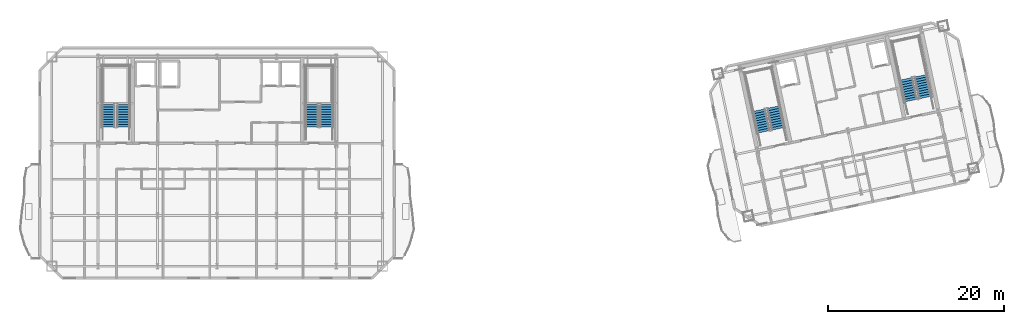
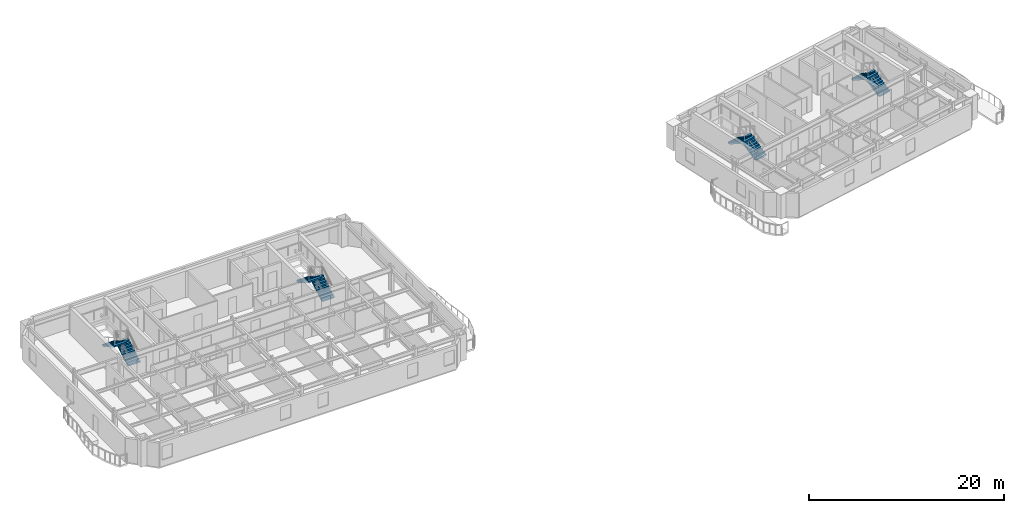
# One storey, part 10 of 14: 8 stair flights, 4 elements without a shape of their own.
"""IFC4 building model written with IfcOpenShell, lengths in metres."""

import ifcopenshell
import ifcopenshell.guid

model = None  # the IFC model being written
_history = None  # IfcOwnerHistory: only IFC2X3 demands one
_inside = {}  # id of a spatial element -> (the spatial element, [elements in it])
_under = {}  # id of a project, library or spatial element -> (it, [spatial elements below it])
_declared = {}  # id of a project -> (the project, [libraries it declares])
_typed = {}  # id of a type object -> (the type object, [elements of that type])
_made_of = {}  # id of a material, layer set ... -> (it, [elements and type objects made of it])


def new_model(schema):
    """Start an empty IFC model of exactly this schema.

    Asked for "IFC4X3", IfcOpenShell would pick the latest addendum, in which some entities
    have other attributes; the version numbers below select the first issue.
    IFC2X3 requires an IfcOwnerHistory on every rooted entity: one is made here for all.
    """
    global model, _history
    if schema == "IFC4X3":
        model = ifcopenshell.file(schema_version=(4, 3, 0, 0))
    else:
        model = ifcopenshell.file(schema=schema)
    _inside.clear()
    _under.clear()
    _declared.clear()
    _typed.clear()
    _made_of.clear()
    _history = None
    if model.schema == "IFC2X3":
        org = make("IfcOrganization", Name="unknown")
        user = make(
            "IfcPersonAndOrganization",
            ThePerson=make("IfcPerson", FamilyName="unknown"),
            TheOrganization=org,
        )
        app = make(
            "IfcApplication",
            ApplicationDeveloper=org,
            Version="unknown",
            ApplicationFullName="unknown",
            ApplicationIdentifier="unknown",
        )
        _history = make(
            "IfcOwnerHistory",
            OwningUser=user,
            OwningApplication=app,
            ChangeAction="ADDED",
            CreationDate=0,
        )
    return model


def make(cls, **values):
    """One entity of the class cls with the attributes given. An attribute that is None is left unset."""
    return model.create_entity(
        cls, **{name: value for name, value in values.items() if value is not None}
    )


def rooted(cls, **values):
    """An entity with a GlobalId (a new one), such as an element, a storey or a relation."""
    return make(cls, GlobalId=ifcopenshell.guid.new(), OwnerHistory=_history, **values)


def si_unit(unit_type, name, prefix=None):
    """IfcSIUnit, for example si_unit("LENGTHUNIT", "METRE", prefix="MILLI")."""
    return make("IfcSIUnit", UnitType=unit_type, Prefix=prefix, Name=name)


def assignment(units):
    """IfcUnitAssignment: the units of a project."""
    return None if units is None else make("IfcUnitAssignment", Units=units)


def point(xyz):
    """IfcCartesianPoint."""
    return None if xyz is None else make("IfcCartesianPoint", Coordinates=xyz)


def direction(xyz):
    """IfcDirection."""
    return None if xyz is None else make("IfcDirection", DirectionRatios=xyz)


def frame(location, z_axis=None, x_axis=None):
    """IfcAxis2Placement3D, a coordinate frame: its origin and axes. An axis left out is left unset."""
    return make(
        "IfcAxis2Placement3D",
        Location=point(location),
        Axis=direction(z_axis),
        RefDirection=direction(x_axis),
    )


def origin():
    """The frame at (0, 0, 0) with its axes left unset."""
    return frame((0.0, 0.0, 0.0))


def place(relative_to, where):
    """IfcLocalPlacement: puts the frame where relative to a parent placement (None: the world)."""
    return make(
        "IfcLocalPlacement", PlacementRelTo=relative_to, RelativePlacement=where
    )


def context(
    kind, dimensions, precision=None, world=None, true_north=None, identifier=None
):
    """IfcGeometricRepresentationContext, for example the 3D "Model" context."""
    return make(
        "IfcGeometricRepresentationContext",
        ContextIdentifier=identifier,
        ContextType=kind,
        CoordinateSpaceDimension=dimensions,
        Precision=precision,
        WorldCoordinateSystem=world,
        TrueNorth=true_north,
    )


def subcontext(parent, identifier, kind, view, scale=None):
    """IfcGeometricRepresentationSubContext, for example "Body" below "Model"."""
    return make(
        "IfcGeometricRepresentationSubContext",
        ContextIdentifier=identifier,
        ContextType=kind,
        ParentContext=parent,
        TargetScale=scale,
        TargetView=view,
    )


def project(units=None, contexts=None):
    """IfcProject with its units and contexts."""
    return rooted(
        "IfcProject",
        Name="project",
        RepresentationContexts=contexts,
        UnitsInContext=assignment(units),
    )


def spatial(cls, under=None, at=None, **own):
    """A site, building, storey or space (cls), placed at a placement, below another one or the project."""
    s = rooted(cls, ObjectPlacement=at, **own)
    if under is not None:
        _under.setdefault(under.id(), (under, []))[1].append(s)
    return s


def polyline(points):
    """IfcPolyline through the points."""
    return make("IfcPolyline", Points=[point(p) for p in points])


def outline(outer, holes=None, kind="AREA"):
    """IfcArbitraryClosedProfileDef: a profile drawn as a closed curve; with holes, ...WithVoids."""
    if holes is None:
        return make("IfcArbitraryClosedProfileDef", ProfileType=kind, OuterCurve=outer)
    return make(
        "IfcArbitraryProfileDefWithVoids",
        ProfileType=kind,
        OuterCurve=outer,
        InnerCurves=holes,
    )


def extrude(swept, where, along, depth):
    """IfcExtrudedAreaSolid: the profile swept, set in the frame where, extruded along a direction by depth."""
    return make(
        "IfcExtrudedAreaSolid",
        SweptArea=swept,
        Position=where,
        ExtrudedDirection=direction(along),
        Depth=depth,
    )


def shape(context_of_items, identifier, shape_type, items):
    """IfcShapeRepresentation: the items that make up one representation, for example the "Body"."""
    return make(
        "IfcShapeRepresentation",
        ContextOfItems=context_of_items,
        RepresentationIdentifier=identifier,
        RepresentationType=shape_type,
        Items=items,
    )


def material(Name=None, Category=None):
    """IfcMaterial."""
    return make("IfcMaterial", Name=Name, Category=Category)


def made_of(thing, what):
    """Note that an element or type object is made of a material, layer set ...; save() writes the relation."""
    if what is not None:
        _made_of.setdefault(what.id(), (what, []))[1].append(thing)
    return thing


def type_object(cls, material=None, **own):
    """A type object (cls), such as IfcWallType, which elements share."""
    return made_of(rooted(cls, **own), material)


def element(
    cls,
    number,
    at=None,
    inside=None,
    cuts=None,
    type_object=None,
    material=None,
    context=None,
    identifier="Body",
    shape_type=None,
    held_by="IfcProductDefinitionShape",
    body=None,
    shapes=None,
    **own,
):
    """One element of the class cls, such as IfcWall. Its Tag is "e" and its number.

    at: its placement. inside: the storey or other place that contains it. cuts: it is an
    opening in that element (IfcRelVoidsElement). A single representation is given by context,
    identifier, shape_type and body (its items); several are given by shapes. held_by: the class
    of the entity that holds the representations. save() writes the other relations.
    """
    e = rooted(cls, Tag="e%d" % number, ObjectPlacement=at, **own)
    if body is not None:
        shapes = [shape(context, identifier, shape_type, body)]
    if shapes is not None:
        e.Representation = make(held_by, Representations=shapes)
    if inside is not None:
        _inside.setdefault(inside.id(), (inside, []))[1].append(e)
    if cuts is not None:
        rooted(
            "IfcRelVoidsElement", RelatingBuildingElement=cuts, RelatedOpeningElement=e
        )
    if type_object is not None:
        _typed.setdefault(type_object.id(), (type_object, []))[1].append(e)
    return made_of(e, material)


def aggregate(whole, parts):
    """IfcRelAggregates: a whole, such as a stair, and the parts it consists of."""
    return rooted("IfcRelAggregates", RelatingObject=whole, RelatedObjects=parts)


def save(model, path):
    """Write the relations noted so far, then the file.

    IfcRelAggregates (storeys below a building ...), IfcRelContainedInSpatialStructure (elements
    in a storey), IfcRelDefinesByType, IfcRelAssociatesMaterial and IfcRelDeclares: one each for
    every whole, place, type object, material and project.
    """
    for whole, parts in _under.values():
        aggregate(whole, parts)
    for where, things in _inside.values():
        rooted(
            "IfcRelContainedInSpatialStructure",
            RelatedElements=things,
            RelatingStructure=where,
        )
    for kind, things in _typed.values():
        rooted("IfcRelDefinesByType", RelatedObjects=things, RelatingType=kind)
    for what, things in _made_of.values():
        rooted("IfcRelAssociatesMaterial", RelatedObjects=things, RelatingMaterial=what)
    for by, libraries in _declared.values():
        rooted("IfcRelDeclares", RelatingContext=by, RelatedDefinitions=libraries)
    model.write(path)


model = new_model("IFC4")

# Units and contexts
model_context = context("Model", 3, precision=1e-05, world=origin(), true_north=direction((0.0, 1.0)))
body_context = subcontext(model_context, "Body", "Model", "MODEL_VIEW")
ifc_project = project(units=[si_unit("LENGTHUNIT", "METRE"), si_unit("AREAUNIT", "SQUARE_METRE"), si_unit("VOLUMEUNIT", "CUBIC_METRE"), si_unit("PLANEANGLEUNIT", "RADIAN"), si_unit("MASSUNIT", "GRAM", prefix="KILO")], contexts=[model_context])

# Site, building, storey
site_placement = place(None, origin())
site = spatial("IfcSite", under=ifc_project, at=site_placement, CompositionType="ELEMENT")
building_placement = place(site_placement, origin())
building = spatial("IfcBuilding", under=site, at=building_placement, Name="Haevon Station Towers", CompositionType="ELEMENT")
storey_placement = place(building_placement, frame((0.0, 0.0, 231.89990234375)))
storey = spatial("IfcBuildingStorey", under=building, at=storey_placement, Name="L64", CompositionType="ELEMENT", Elevation=231.89990234375)

# Stair, stair flights
ifc_material = material(Name="Concrete C40/50", Category="concrete")
stair_type = type_object("IfcStairType", Name="STR-DL1450", PredefinedType="USERDEFINED", material=ifc_material)
stair_1_placement = place(storey_placement, origin())
stair_1 = element("IfcStair", 1, at=stair_1_placement, inside=storey, type_object=stair_type, Name="L64 Escape Stair ST1", ObjectType="TWO_RETURN_STAIR", PredefinedType="USERDEFINED")
stair_flight_type = type_object("IfcStairFlightType", Name="STF-ST1450", PredefinedType="STRAIGHT", material=ifc_material)
stair_flight_1_placement = place(storey_placement, frame((26.85498046875, 40.050048828125, 0.0), z_axis=(0.0, 0.0, 1.0), x_axis=(0.0, 1.0, 0.0)))
stair_flight_1 = element("IfcStairFlight", 2, at=stair_flight_1_placement, type_object=stair_flight_type, Name="L64 ST1 Flight 1", NumberOfRisers=10, NumberOfTreads=9, PredefinedType="STRAIGHT", RiserHeight=0.165, TreadLength=0.28, context=body_context, shape_type="SweptSolid", body=[
    extrude(outline(polyline([(0.0, 0.0), (0.0, 0.1650390625), (0.280029296875, 0.1650390625), (0.280029296875, 0.330078125), (0.56005859375, 0.330078125), (0.56005859375, 0.4951171875), (0.840087890625, 0.4951171875), (0.840087890625, 0.659912109375), (1.1201171875, 0.659912109375), (1.1201171875, 0.824951171875), (1.39990234375, 0.824951171875), (1.39990234375, 0.989990234375), (1.679931640625, 0.989990234375), (1.679931640625, 1.155029296875), (1.9599609375, 1.155029296875), (1.9599609375, 1.320068359375), (2.239990234375, 1.320068359375), (2.239990234375, 1.485107421875), (2.52001953125, 1.485107421875), (2.52001953125, 1.64990234375), (2.52001953125, 1.29931640625), (0.31494140625, 0.0), (0.0, 0.0)])), frame((0.0, 0.72509765625, 0.0), z_axis=(0.0, -1.0, 0.0), x_axis=(1.0, 0.0, 0.0)), (0.0, 0.0, 1.0), 1.449951171875),
])
stair_flight_2_placement = place(storey_placement, frame((25.205078125, 42.570068359375, 1.650146484375), z_axis=(0.0, 0.0, 1.0), x_axis=(0.0, -1.0, 0.0)))
stair_flight_2 = element("IfcStairFlight", 3, at=stair_flight_2_placement, type_object=stair_flight_type, Name="L64 ST1 Flight 2", NumberOfRisers=10, NumberOfTreads=9, PredefinedType="STRAIGHT", RiserHeight=0.165, TreadLength=0.28, context=body_context, shape_type="SweptSolid", body=[
    extrude(outline(polyline([(0.0, 0.0), (0.0, 0.1650390625), (0.280029296875, 0.1650390625), (0.280029296875, 0.330078125), (0.56005859375, 0.330078125), (0.56005859375, 0.4951171875), (0.840087890625, 0.4951171875), (0.840087890625, 0.659912109375), (1.1201171875, 0.659912109375), (1.1201171875, 0.824951171875), (1.39990234375, 0.824951171875), (1.39990234375, 0.989990234375), (1.679931640625, 0.989990234375), (1.679931640625, 1.155029296875), (1.9599609375, 1.155029296875), (1.9599609375, 1.320068359375), (2.239990234375, 1.320068359375), (2.239990234375, 1.485107421875), (2.52001953125, 1.485107421875), (2.52001953125, 1.64990234375), (2.52001953125, 1.29931640625), (0.31494140625, 0.0), (0.0, 0.0)])), frame((0.0, 0.72509765625, 0.0), z_axis=(0.0, -1.0, 0.0), x_axis=(1.0, 0.0, 0.0)), (0.0, 0.0, 1.0), 1.449951171875),
])
aggregate(stair_1, [stair_flight_1, stair_flight_2])

stair_2_placement = place(storey_placement, origin())
stair_2 = element("IfcStair", 4, at=stair_2_placement, inside=storey, type_object=stair_type, Name="L64 Escape Stair ST2", ObjectType="TWO_RETURN_STAIR", PredefinedType="USERDEFINED")
stair_flight_3_placement = place(storey_placement, frame((49.89501953125, 40.050048828125, 0.0), z_axis=(0.0, 0.0, 1.0), x_axis=(0.0, 1.0, 0.0)))
stair_flight_3 = element("IfcStairFlight", 5, at=stair_flight_3_placement, type_object=stair_flight_type, Name="L64 ST2 Flight 1", NumberOfRisers=10, NumberOfTreads=9, PredefinedType="STRAIGHT", RiserHeight=0.165, TreadLength=0.28, context=body_context, shape_type="SweptSolid", body=[
    extrude(outline(polyline([(0.0, 0.0), (0.0, 0.1650390625), (0.280029296875, 0.1650390625), (0.280029296875, 0.330078125), (0.56005859375, 0.330078125), (0.56005859375, 0.4951171875), (0.840087890625, 0.4951171875), (0.840087890625, 0.659912109375), (1.1201171875, 0.659912109375), (1.1201171875, 0.824951171875), (1.39990234375, 0.824951171875), (1.39990234375, 0.989990234375), (1.679931640625, 0.989990234375), (1.679931640625, 1.155029296875), (1.9599609375, 1.155029296875), (1.9599609375, 1.320068359375), (2.239990234375, 1.320068359375), (2.239990234375, 1.485107421875), (2.52001953125, 1.485107421875), (2.52001953125, 1.64990234375), (2.52001953125, 1.29931640625), (0.31494140625, 0.0), (0.0, 0.0)])), frame((0.0, 0.72509765625, 0.0), z_axis=(0.0, -1.0, 0.0), x_axis=(1.0, 0.0, 0.0)), (0.0, 0.0, 1.0), 1.449951171875),
])
stair_flight_4_placement = place(storey_placement, frame((48.2451171875, 42.570068359375, 1.650146484375), z_axis=(0.0, 0.0, 1.0), x_axis=(0.0, -1.0, 0.0)))
stair_flight_4 = element("IfcStairFlight", 6, at=stair_flight_4_placement, type_object=stair_flight_type, Name="L64 ST2 Flight 2", NumberOfRisers=10, NumberOfTreads=9, PredefinedType="STRAIGHT", RiserHeight=0.165, TreadLength=0.28, context=body_context, shape_type="SweptSolid", body=[
    extrude(outline(polyline([(0.0, 0.0), (0.0, 0.1650390625), (0.280029296875, 0.1650390625), (0.280029296875, 0.330078125), (0.56005859375, 0.330078125), (0.56005859375, 0.4951171875), (0.840087890625, 0.4951171875), (0.840087890625, 0.659912109375), (1.1201171875, 0.659912109375), (1.1201171875, 0.824951171875), (1.39990234375, 0.824951171875), (1.39990234375, 0.989990234375), (1.679931640625, 0.989990234375), (1.679931640625, 1.155029296875), (1.9599609375, 1.155029296875), (1.9599609375, 1.320068359375), (2.239990234375, 1.320068359375), (2.239990234375, 1.485107421875), (2.52001953125, 1.485107421875), (2.52001953125, 1.64990234375), (2.52001953125, 1.29931640625), (0.31494140625, 0.0), (0.0, 0.0)])), frame((0.0, 0.72509765625, 0.0), z_axis=(0.0, -1.0, 0.0), x_axis=(1.0, 0.0, 0.0)), (0.0, 0.0, 1.0), 1.449951171875),
])
aggregate(stair_2, [stair_flight_3, stair_flight_4])

stair_3_placement = place(storey_placement, origin())
stair_3 = element("IfcStair", 7, at=stair_3_placement, inside=storey, type_object=stair_type, Name="L64 Escape Stair ST3", ObjectType="TWO_RETURN_STAIR", PredefinedType="USERDEFINED")
stair_flight_5_placement = place(storey_placement, frame((101.1015625, 39.8330078125, 0.0), z_axis=(0.0, 0.0, 1.0), x_axis=(-0.207911690818, 0.978147600734, 0.0)))
stair_flight_5 = element("IfcStairFlight", 8, at=stair_flight_5_placement, type_object=stair_flight_type, Name="L64 ST3 Flight 1", NumberOfRisers=10, NumberOfTreads=9, PredefinedType="STRAIGHT", RiserHeight=0.165, TreadLength=0.28, context=body_context, shape_type="SweptSolid", body=[
    extrude(outline(polyline([(0.0, 0.0), (0.0, 0.1650390625), (0.280029296875, 0.1650390625), (0.280029296875, 0.330078125), (0.56005859375, 0.330078125), (0.56005859375, 0.4951171875), (0.840087890625, 0.4951171875), (0.840087890625, 0.659912109375), (1.1201171875, 0.659912109375), (1.1201171875, 0.824951171875), (1.39990234375, 0.824951171875), (1.39990234375, 0.989990234375), (1.679931640625, 0.989990234375), (1.679931640625, 1.155029296875), (1.9599609375, 1.155029296875), (1.9599609375, 1.320068359375), (2.239990234375, 1.320068359375), (2.239990234375, 1.485107421875), (2.52001953125, 1.485107421875), (2.52001953125, 1.64990234375), (2.52001953125, 1.29931640625), (0.31494140625, 0.0), (0.0, 0.0)])), frame((0.0, 0.72509765625, 0.0), z_axis=(0.0, -1.0, 0.0), x_axis=(1.0, 0.0, 0.0)), (0.0, 0.0, 1.0), 1.449951171875),
])
stair_flight_6_placement = place(storey_placement, frame((98.9638671875, 41.955078125, 1.650146484375), z_axis=(0.0, 0.0, 1.0), x_axis=(0.207911690818, -0.978147600734, 0.0)))
stair_flight_6 = element("IfcStairFlight", 9, at=stair_flight_6_placement, type_object=stair_flight_type, Name="L64 ST3 Flight 2", NumberOfRisers=10, NumberOfTreads=9, PredefinedType="STRAIGHT", RiserHeight=0.165, TreadLength=0.28, context=body_context, shape_type="SweptSolid", body=[
    extrude(outline(polyline([(0.0, 0.0), (0.0, 0.1650390625), (0.280029296875, 0.1650390625), (0.280029296875, 0.330078125), (0.56005859375, 0.330078125), (0.56005859375, 0.4951171875), (0.840087890625, 0.4951171875), (0.840087890625, 0.659912109375), (1.1201171875, 0.659912109375), (1.1201171875, 0.824951171875), (1.39990234375, 0.824951171875), (1.39990234375, 0.989990234375), (1.679931640625, 0.989990234375), (1.679931640625, 1.155029296875), (1.9599609375, 1.155029296875), (1.9599609375, 1.320068359375), (2.239990234375, 1.320068359375), (2.239990234375, 1.485107421875), (2.52001953125, 1.485107421875), (2.52001953125, 1.64990234375), (2.52001953125, 1.29931640625), (0.31494140625, 0.0), (0.0, 0.0)])), frame((0.0, 0.72509765625, 0.0), z_axis=(0.0, -1.0, 0.0), x_axis=(1.0, 0.0, 0.0)), (0.0, 0.0, 1.0), 1.449951171875),
])
aggregate(stair_3, [stair_flight_5, stair_flight_6])

stair_4_placement = place(storey_placement, origin())
stair_4 = element("IfcStair", 10, at=stair_4_placement, inside=storey, type_object=stair_type, Name="L64 Escape Stair ST4", ObjectType="TWO_RETURN_STAIR", PredefinedType="USERDEFINED")
stair_flight_7_placement = place(storey_placement, frame((117.788818359375, 43.380126953125, 0.0), z_axis=(0.0, 0.0, 1.0), x_axis=(-0.207911690818, 0.978147600734, 0.0)))
stair_flight_7 = element("IfcStairFlight", 11, at=stair_flight_7_placement, type_object=stair_flight_type, Name="L64 ST4 Flight 1", NumberOfRisers=10, NumberOfTreads=9, PredefinedType="STRAIGHT", RiserHeight=0.165, TreadLength=0.28, context=body_context, shape_type="SweptSolid", body=[
    extrude(outline(polyline([(0.0, 0.0), (0.0, 0.1650390625), (0.280029296875, 0.1650390625), (0.280029296875, 0.330078125), (0.56005859375, 0.330078125), (0.56005859375, 0.4951171875), (0.840087890625, 0.4951171875), (0.840087890625, 0.659912109375), (1.1201171875, 0.659912109375), (1.1201171875, 0.824951171875), (1.39990234375, 0.824951171875), (1.39990234375, 0.989990234375), (1.679931640625, 0.989990234375), (1.679931640625, 1.155029296875), (1.9599609375, 1.155029296875), (1.9599609375, 1.320068359375), (2.239990234375, 1.320068359375), (2.239990234375, 1.485107421875), (2.52001953125, 1.485107421875), (2.52001953125, 1.64990234375), (2.52001953125, 1.29931640625), (0.31494140625, 0.0), (0.0, 0.0)])), frame((0.0, 0.72509765625, 0.0), z_axis=(0.0, -1.0, 0.0), x_axis=(1.0, 0.0, 0.0)), (0.0, 0.0, 1.0), 1.449951171875),
])
stair_flight_8_placement = place(storey_placement, frame((115.65087890625, 45.501953125, 1.650146484375), z_axis=(0.0, 0.0, 1.0), x_axis=(0.207911690818, -0.978147600734, 0.0)))
stair_flight_8 = element("IfcStairFlight", 12, at=stair_flight_8_placement, type_object=stair_flight_type, Name="L64 ST4 Flight 2", NumberOfRisers=10, NumberOfTreads=9, PredefinedType="STRAIGHT", RiserHeight=0.165, TreadLength=0.28, context=body_context, shape_type="SweptSolid", body=[
    extrude(outline(polyline([(0.0, 0.0), (0.0, 0.1650390625), (0.280029296875, 0.1650390625), (0.280029296875, 0.330078125), (0.56005859375, 0.330078125), (0.56005859375, 0.4951171875), (0.840087890625, 0.4951171875), (0.840087890625, 0.659912109375), (1.1201171875, 0.659912109375), (1.1201171875, 0.824951171875), (1.39990234375, 0.824951171875), (1.39990234375, 0.989990234375), (1.679931640625, 0.989990234375), (1.679931640625, 1.155029296875), (1.9599609375, 1.155029296875), (1.9599609375, 1.320068359375), (2.239990234375, 1.320068359375), (2.239990234375, 1.485107421875), (2.52001953125, 1.485107421875), (2.52001953125, 1.64990234375), (2.52001953125, 1.29931640625), (0.31494140625, 0.0), (0.0, 0.0)])), frame((0.0, 0.72509765625, 0.0), z_axis=(0.0, -1.0, 0.0), x_axis=(1.0, 0.0, 0.0)), (0.0, 0.0, 1.0), 1.449951171875),
])
aggregate(stair_4, [stair_flight_7, stair_flight_8])

save(model, "model.ifc")
